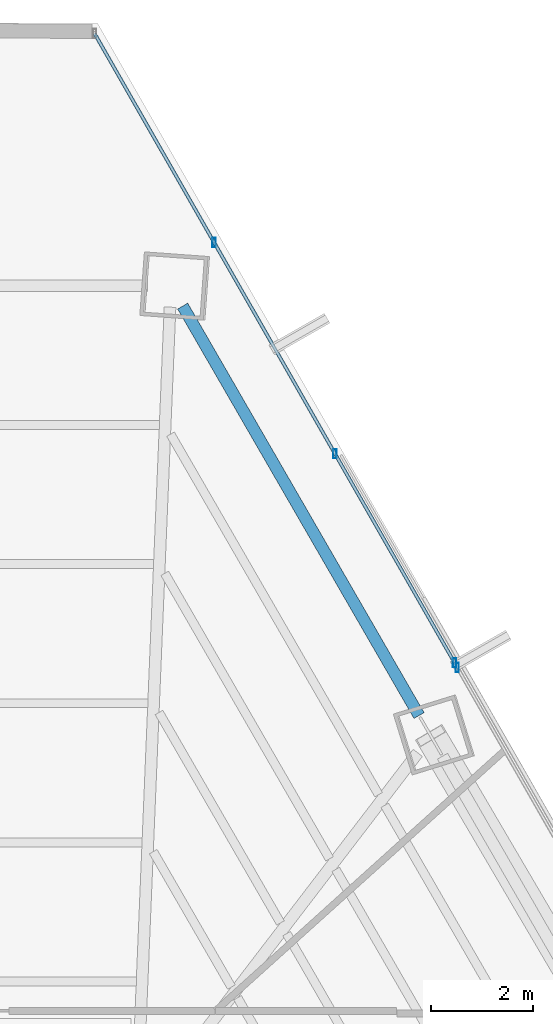
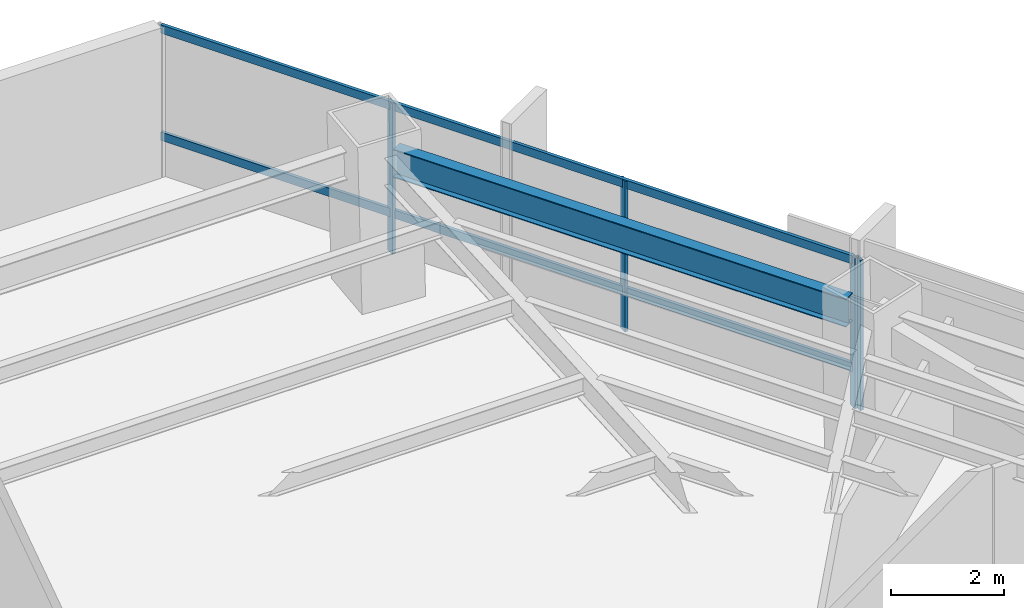
# One storey, part 31 of 39: 6 members, 1 beam, 2 elements without a shape of their own.
"""IFC4 building model written with IfcOpenShell, lengths in metres."""

from ifc_helpers import new_model, si_unit, direction, frame, origin, origin_2d, place, context, subcontext, project, spatial, hollow_rectangle, i_section, extrude, source, transform, mapped, material, material_profile, profile_set, type_object, type_shapes, element, aggregate, save


model = new_model("IFC4")

# Units and contexts
model_context = context("Model", 3, precision=1e-05, world=origin(), true_north=direction((0.0, 1.0)))
body_context = subcontext(model_context, "Body", "Model", "MODEL_VIEW")
ifc_project = project(units=[si_unit("LENGTHUNIT", "METRE"), si_unit("AREAUNIT", "SQUARE_METRE"), si_unit("VOLUMEUNIT", "CUBIC_METRE"), si_unit("PLANEANGLEUNIT", "RADIAN"), si_unit("MASSUNIT", "GRAM", prefix="KILO")], contexts=[model_context])

# Site, building, storey
site_placement = place(None, origin())
site = spatial("IfcSite", under=ifc_project, at=site_placement, CompositionType="ELEMENT")
building_placement = place(site_placement, origin())
building = spatial("IfcBuilding", under=site, at=building_placement, Name="Caelisora Broadcast Tower", CompositionType="ELEMENT")
storey_placement = place(building_placement, frame((0.0, 0.0, 71.39990234375)))
storey = spatial("IfcBuildingStorey", under=building, at=storey_placement, Name="L18", CompositionType="ELEMENT", Elevation=71.39990234375)

# Beam
ifc_material_1 = material(Name="Steel Grade 350 (AS/NZS 3679.1)", Category="steel")
ifc_material_profile_1 = material_profile(ifc_material_1, i_section(OverallWidth=0.22900390625, OverallDepth=0.611572265625, WebThickness=0.011962890625, FlangeThickness=0.01953125, at=origin_2d()), Name="Steel Grade 350 (AS/NZS 3679.1)")
ifc_profile_set_1 = profile_set([ifc_material_profile_1], Name="Steel Grade 350 (AS/NZS 3679.1)")
beam_type = type_object("IfcBeamType", Name="PG03", PredefinedType="BEAM", material=ifc_profile_set_1)
shared_shape_1 = source(origin(), body_context, "Body", "SweptSolid", [
    extrude(i_section(OverallWidth=0.22900390625, OverallDepth=0.611572265625, WebThickness=0.011962890625, FlangeThickness=0.01953125, at=origin_2d()), origin(), (0.0, 0.0, 1.0), 9.2607421875),
])
type_shapes(beam_type, [shared_shape_1])
beam_placement = place(storey_placement, frame((51.03857421875, 37.93701171875, 2.9443359375), z_axis=(-0.500020635044, 0.866013489808, 0.0), x_axis=(-0.866013489808, -0.500020635044, 0.0)))
element("IfcBeam", 1, at=beam_placement, inside=storey, type_object=beam_type, Name="L18 beam PG03", PredefinedType="BEAM", context=body_context, shape_type="MappedRepresentation", body=[
    mapped(shared_shape_1, transform((0.0, 0.0, 0.0), scale=1.0)),
])

# Curtain wall, members
ifc_material_2 = material(Name="Unitised Aluminium and Low-E Glass Curtain Wall", Category="glass")
curtain_wall_type_1 = type_object("IfcCurtainWallType", Name="CW-Z1", PredefinedType="NOTDEFINED", material=ifc_material_2)
curtain_wall_1_placement = place(storey_placement, origin())
curtain_wall_1 = element("IfcCurtainWall", 2, at=curtain_wall_1_placement, inside=storey, type_object=curtain_wall_type_1, Name="L18 curtain wall CW-Z1", PredefinedType="NOTDEFINED")
ifc_material_3 = material(Name="Aluminium 6063-T6 Anodised Terracotta Bronze", Category="aluminium")
ifc_material_profile_2 = material_profile(ifc_material_3, hollow_rectangle(XDim=0.06494140625, YDim=0.179931640625, WallThickness=0.00341796875, at=origin_2d()), Name="Aluminium 6063-T6 Anodised Terracotta Bronze")
ifc_profile_set_2 = profile_set([ifc_material_profile_2], Name="Aluminium 6063-T6 Anodised Terracotta Bronze")
member_type_1 = type_object("IfcMemberType", Name="CWM-02", PredefinedType="MULLION", material=ifc_profile_set_2)
shared_shape_2 = source(origin(), body_context, "Body", "SweptSolid", [
    extrude(hollow_rectangle(XDim=0.06494140625, YDim=0.179931640625, WallThickness=0.00341796875, at=origin_2d()), origin(), (0.0, 0.0, 1.0), 3.25),
])
type_shapes(member_type_1, [shared_shape_2])
member_1_placement = place(storey_placement, frame((47.024658203125, 47.202392578125, 0.0), z_axis=(0.0, 0.0, 1.0), x_axis=(1.0, 0.0, 0.0)))
member_1 = element("IfcMember", 3, at=member_1_placement, type_object=member_type_1, Name="L18-CW-B01 mullion #1", PredefinedType="MULLION", context=body_context, shape_type="MappedRepresentation", body=[
    mapped(shared_shape_2, transform((0.0, 0.0, 0.0), scale=1.0)),
])
member_2_placement = place(storey_placement, frame((49.391357421875, 43.06591796875, 0.0), z_axis=(0.0, 0.0, 1.0), x_axis=(1.0, 0.0, 0.0)))
member_2 = element("IfcMember", 4, at=member_2_placement, type_object=member_type_1, Name="L18-CW-B01 mullion #2", PredefinedType="MULLION", context=body_context, shape_type="MappedRepresentation", body=[
    mapped(shared_shape_2, transform((0.0, 0.0, 0.0), scale=1.0)),
])
member_3_placement = place(storey_placement, frame((51.7333984375, 38.97265625, 0.0), z_axis=(0.0, 0.0, 1.0), x_axis=(1.0, 0.0, 0.0)))
member_3 = element("IfcMember", 5, at=member_3_placement, type_object=member_type_1, Name="L18-CW-B01 mullion #3", PredefinedType="MULLION", context=body_context, shape_type="MappedRepresentation", body=[
    mapped(shared_shape_2, transform((0.0, 0.0, 0.0), scale=1.0)),
])

# Curtain wall, member
ifc_material_4 = material(Name="Unitised Aluminium Insulated Shadow-Box Spandrel Curtain Wall", Category="aluminium")
curtain_wall_type_2 = type_object("IfcCurtainWallType", Name="CW-SP1", PredefinedType="NOTDEFINED", material=ifc_material_4)
curtain_wall_2_placement = place(storey_placement, origin())
curtain_wall_2 = element("IfcCurtainWall", 6, at=curtain_wall_2_placement, inside=storey, type_object=curtain_wall_type_2, Name="L18 curtain wall CW-SP1", PredefinedType="NOTDEFINED")
member_4_placement = place(storey_placement, frame((51.787841796875, 38.877197265625, 0.0), z_axis=(0.0, 0.0, 1.0), x_axis=(1.0, 0.0, 0.0)))
member_4 = element("IfcMember", 7, at=member_4_placement, type_object=member_type_1, Name="L18-CW-B02 mullion #0", PredefinedType="MULLION", context=body_context, shape_type="MappedRepresentation", body=[
    mapped(shared_shape_2, transform((0.0, 0.0, 0.0), scale=1.0)),
])
aggregate(curtain_wall_2, [member_4])

# Member
ifc_material_profile_3 = material_profile(ifc_material_3, hollow_rectangle(XDim=0.06494140625, YDim=0.179931640625, WallThickness=0.00341796875, at=origin_2d()), Name="Aluminium 6063-T6 Anodised Terracotta Bronze")
ifc_profile_set_3 = profile_set([ifc_material_profile_3], Name="Aluminium 6063-T6 Anodised Terracotta Bronze")
member_type_2 = type_object("IfcMemberType", Name="CWT-01", PredefinedType="USERDEFINED", material=ifc_profile_set_3)
shared_shape_3 = source(origin(), body_context, "Body", "SweptSolid", [
    extrude(hollow_rectangle(XDim=0.06494140625, YDim=0.179931640625, WallThickness=0.00341796875, at=origin_2d()), origin(), (0.0, 0.0, 1.0), 14.197509765625),
])
type_shapes(member_type_2, [shared_shape_3])
member_5_placement = place(storey_placement, frame((44.682861328125, 51.295654296875, 0.85009765625), z_axis=(0.496607394859, -0.867975285, 0.0), x_axis=(0.867975285, 0.496607394859, 0.0)))
member_5 = element("IfcMember", 8, at=member_5_placement, type_object=member_type_2, Name="L18-CW-B01 transom #1", ObjectType="TRANSOM", PredefinedType="USERDEFINED", context=body_context, shape_type="MappedRepresentation", body=[
    mapped(shared_shape_3, transform((0.0, 0.0, 0.0), scale=1.0)),
])

member_6_placement = place(storey_placement, frame((44.682861328125, 51.295654296875, 3.170166015625), z_axis=(0.496607394859, -0.867975285, 0.0), x_axis=(0.867975285, 0.496607394859, 0.0)))
member_6 = element("IfcMember", 9, at=member_6_placement, type_object=member_type_2, Name="L18-CW-B01 transom #2", ObjectType="TRANSOM", PredefinedType="USERDEFINED", context=body_context, shape_type="MappedRepresentation", body=[
    mapped(shared_shape_3, transform((0.0, 0.0, 0.0), scale=1.0)),
])

aggregate(curtain_wall_1, [member_1, member_2, member_3, member_5, member_6])

save(model, "model.ifc")
